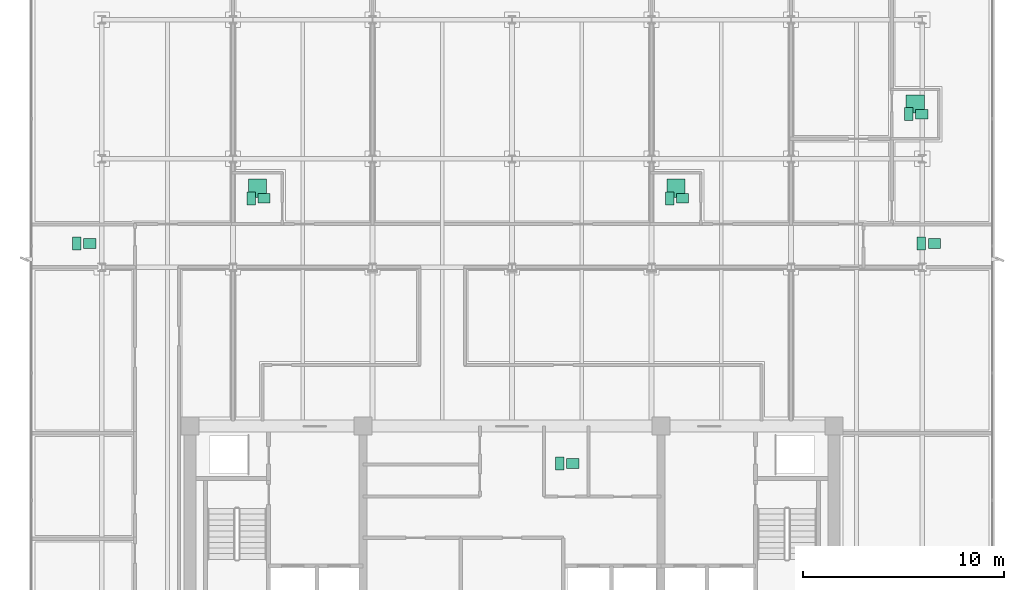
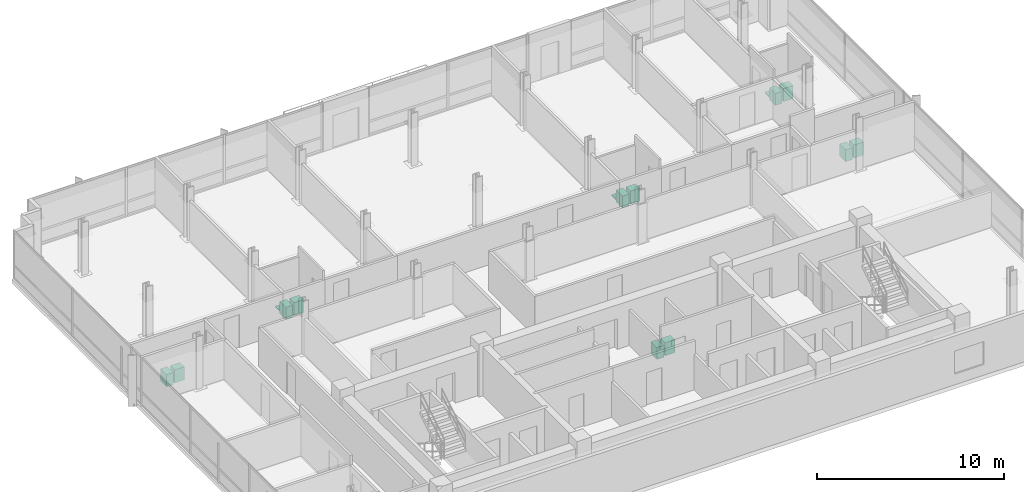
# One storey, part 19 of 19: 15 sanitary terminals.
"""IFC4 building model written with IfcOpenShell, lengths in metres."""

from ifc_helpers import new_model, si_unit, direction, frame, origin, origin_2d, place, context, subcontext, project, spatial, rectangle, extrude, material, type_object, element, save


model = new_model("IFC4")

# Units and contexts
model_context = context("Model", 3, precision=1e-05, world=origin(), true_north=direction((0.0, 1.0)))
body_context = subcontext(model_context, "Body", "Model", "MODEL_VIEW")
ifc_project = project(units=[si_unit("LENGTHUNIT", "METRE"), si_unit("AREAUNIT", "SQUARE_METRE"), si_unit("VOLUMEUNIT", "CUBIC_METRE"), si_unit("PLANEANGLEUNIT", "RADIAN"), si_unit("MASSUNIT", "GRAM", prefix="KILO")], contexts=[model_context])

# Site, building, storey
site_placement = place(None, origin())
site = spatial("IfcSite", under=ifc_project, at=site_placement, CompositionType="ELEMENT")
building_placement = place(site_placement, origin())
building = spatial("IfcBuilding", under=site, at=building_placement, Name="Solmavex Isthmus Hotel", CompositionType="ELEMENT")
storey_placement = place(building_placement, frame((0.0, 0.0, 262.64990234375)))
storey = spatial("IfcBuildingStorey", under=building, at=storey_placement, Name="L71", CompositionType="ELEMENT", Elevation=262.64990234375)

# Sanitary terminals
ifc_material = material(Name="Vitreous china ceramic", Category="ceramic")
sanitary_terminal_type_1 = type_object("IfcSanitaryTerminalType", Name="SAN-BASIN", PredefinedType="WASHHANDBASIN", material=ifc_material)
for number, where, z_axis, x_axis, name in (
    (1, (3.02001953125, -4.360107421875, 0.0), (0.0, 0.0, 1.0), (1.0, 0.0, 0.0), "Vanity Washbasin L71-361"),
    (2, (-12.326904296875, 8.824951171875, 0.0), (0.0, 0.0, 1.0), (1.0, 0.0, 0.0), "Vanity Washbasin L71-362"),
    (3, (8.48095703125, 8.824951171875, 0.0), (0.0, 0.0, 1.0), (1.0, 0.0, 0.0), "Vanity Washbasin L71-363"),
    (4, (20.37109375, 13.012939453125, 0.0), (0.0, 0.0, 1.0), (1.0, 0.0, 0.0), "Vanity Washbasin L71-364"),
    (5, (-20.9951171875, 6.577392578125, 0.0), (0.0, 0.0, 1.0), (1.0, 0.0, 0.0), "Vanity Washbasin L71-365"),
    (6, (20.99609375, 6.577392578125, 0.0), (0.0, 0.0, 1.0), (1.0, 0.0, 0.0), "Vanity Washbasin L71-366"),
):
    element("IfcSanitaryTerminal", number, at=place(storey_placement, frame(where, z_axis=z_axis, x_axis=x_axis)), inside=storey, type_object=sanitary_terminal_type_1, Name=name, PredefinedType="WASHHANDBASIN", context=body_context, shape_type="SweptSolid", body=[
        extrude(rectangle(XDim=0.60009765625, YDim=0.47998046875, at=origin_2d()), origin(), (0.0, 0.0, 1.0), 0.85009765625),
    ])
sanitary_terminal_type_2 = type_object("IfcSanitaryTerminalType", Name="SAN-SHOWER", PredefinedType="SHOWER", material=ifc_material)
for number, where, z_axis, x_axis, name in (
    (7, (-12.64697265625, 9.324951171875, 0.0), (0.0, 0.0, 1.0), (1.0, 0.0, 0.0), "Walk-In Shower L71-362"),
    (8, (8.160888671875, 9.324951171875, 0.0), (0.0, 0.0, 1.0), (1.0, 0.0, 0.0), "Walk-In Shower L71-363"),
    (9, (20.051025390625, 13.512939453125, 0.0), (0.0, 0.0, 1.0), (1.0, 0.0, 0.0), "Walk-In Shower L71-364"),
):
    element("IfcSanitaryTerminal", number, at=place(storey_placement, frame(where, z_axis=z_axis, x_axis=x_axis)), inside=storey, type_object=sanitary_terminal_type_2, Name=name, PredefinedType="SHOWER", context=body_context, shape_type="SweptSolid", body=[
        extrude(rectangle(XDim=0.89990234375, YDim=0.89990234375, at=origin_2d()), origin(), (0.0, 0.0, 1.0), 0.080078125),
    ])
sanitary_terminal_type_3 = type_object("IfcSanitaryTerminalType", Name="SAN-WC-SUITE", PredefinedType="TOILETPAN", material=ifc_material)
for number, where, z_axis, x_axis, name in (
    (10, (2.3798828125, -4.360107421875, 0.0), (0.0, 0.0, 1.0), (1.0, 0.0, 0.0), "Water Closet L71-361"),
    (11, (-12.967041015625, 8.824951171875, 0.0), (0.0, 0.0, 1.0), (1.0, 0.0, 0.0), "Water Closet L71-362"),
    (12, (7.841064453125, 8.824951171875, 0.0), (0.0, 0.0, 1.0), (1.0, 0.0, 0.0), "Water Closet L71-363"),
    (13, (19.73095703125, 13.012939453125, 0.0), (0.0, 0.0, 1.0), (1.0, 0.0, 0.0), "Water Closet L71-364"),
    (14, (-21.635009765625, 6.577392578125, 0.0), (0.0, 0.0, 1.0), (1.0, 0.0, 0.0), "Water Closet L71-365"),
    (15, (20.35595703125, 6.577392578125, 0.0), (0.0, 0.0, 1.0), (1.0, 0.0, 0.0), "Water Closet L71-366"),
):
    element("IfcSanitaryTerminal", number, at=place(storey_placement, frame(where, z_axis=z_axis, x_axis=x_axis)), inside=storey, type_object=sanitary_terminal_type_3, Name=name, PredefinedType="TOILETPAN", context=body_context, shape_type="SweptSolid", body=[
        extrude(rectangle(XDim=0.419921875, YDim=0.64990234375, at=origin_2d()), origin(), (0.0, 0.0, 1.0), 0.780029296875),
    ])

save(model, "model.ifc")
